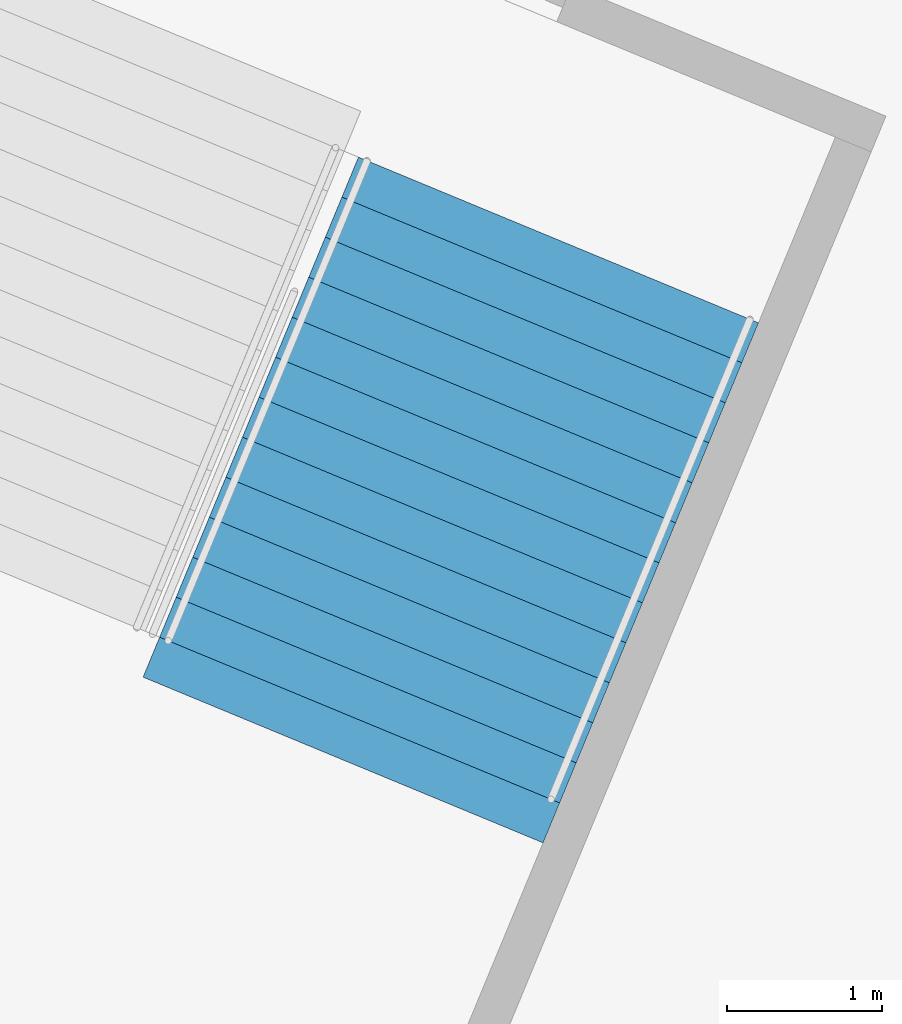
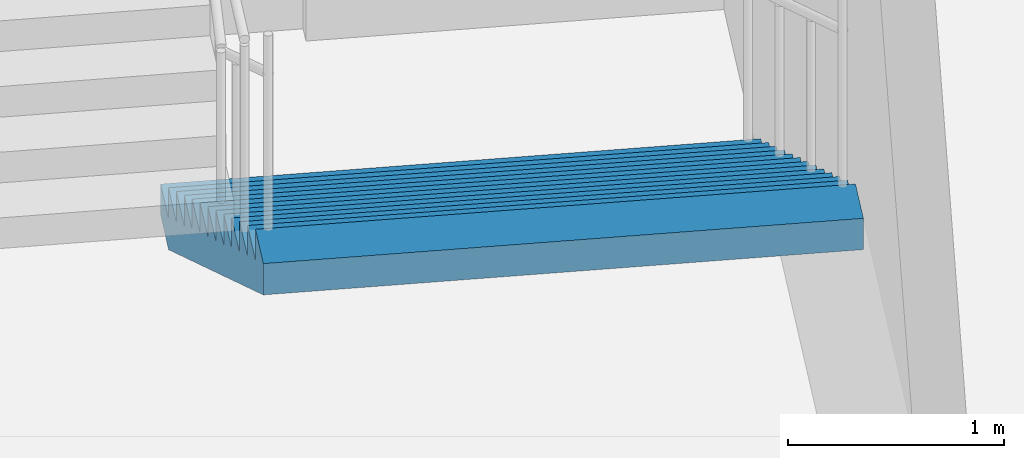
# One storey, part 49 of 175: 1 stair flight, 1 element without a shape of its own.
"""IFC4 building model written with IfcOpenShell, lengths in metres."""

from ifc_helpers import new_model, si_unit, direction, frame, origin, place, context, subcontext, project, spatial, faceted_brep, material, type_object, element, aggregate, save


model = new_model("IFC4")

# Units and contexts
model_context = context("Model", 3, precision=1e-05, world=origin(), true_north=direction((0.0, 1.0)))
body_context = subcontext(model_context, "Body", "Model", "MODEL_VIEW")
ifc_project = project(units=[si_unit("LENGTHUNIT", "METRE"), si_unit("AREAUNIT", "SQUARE_METRE"), si_unit("VOLUMEUNIT", "CUBIC_METRE"), si_unit("PLANEANGLEUNIT", "RADIAN"), si_unit("MASSUNIT", "GRAM", prefix="KILO")], contexts=[model_context])

# Site, building, storey
site_placement = place(None, origin())
site = spatial("IfcSite", under=ifc_project, at=site_placement, CompositionType="ELEMENT")
building_placement = place(site_placement, origin())
building = spatial("IfcBuilding", under=site, at=building_placement, Name="Ogive Plaza Stadium", CompositionType="ELEMENT")
storey_placement = place(building_placement, origin())
storey = spatial("IfcBuildingStorey", under=building, at=storey_placement, Name="L00", CompositionType="ELEMENT", Elevation=0.0)

# Stair, stair flight
ifc_material_1 = material(Name="Concrete C40/50", Category="concrete")
stair_type = type_object("IfcStairType", Name="Exit stair", PredefinedType="STRAIGHT_RUN_STAIR", material=ifc_material_1)
stair_placement = place(storey_placement, origin())
stair = element("IfcStair", 1, at=stair_placement, inside=storey, type_object=stair_type, Name="Exit stair ST18B L00 to L01", PredefinedType="STRAIGHT_RUN_STAIR")
ifc_material_2 = material(Name="Concrete C40/50", Category="concrete")
stair_flight_type = type_object("IfcStairFlightType", Name="Exit stair flight", PredefinedType="STRAIGHT", material=ifc_material_2)
stair_flight_placement = place(storey_placement, frame((-46.118408203125, -93.319580078125, 0.0), z_axis=(0.0, 0.0, 1.0), x_axis=(-0.382683432365, -0.923879532511, 0.0)))
stair_flight = element("IfcStairFlight", 2, at=stair_flight_placement, type_object=stair_flight_type, Name="ST18B flight 1", NumberOfRisers=13, NumberOfTreads=12, PredefinedType="STRAIGHT", RiserHeight=0.173076923, TreadLength=0.28, context=body_context, shape_type="Brep", body=[
    faceted_brep([(0.28515625, -1.39990234375, 0.0), (3.639892578125, -1.39990234375, 2.07373046875), (3.639892578125, -1.39990234375, 2.25), (3.360107421875, -1.39990234375, 2.25), (3.360107421875, -1.39990234375, 2.076904296875), (3.080078125, -1.39990234375, 2.076904296875), (3.080078125, -1.39990234375, 1.90380859375), (2.800048828125, -1.39990234375, 1.90380859375), (2.800048828125, -1.39990234375, 1.730712890625), (2.52001953125, -1.39990234375, 1.730712890625), (2.52001953125, -1.39990234375, 1.5576171875), (2.239990234375, -1.39990234375, 1.5576171875), (2.239990234375, -1.39990234375, 1.384521484375), (1.9599609375, -1.39990234375, 1.384521484375), (1.9599609375, -1.39990234375, 1.21142578125), (1.679931640625, -1.39990234375, 1.21142578125), (1.679931640625, -1.39990234375, 1.03857421875), (1.39990234375, -1.39990234375, 1.03857421875), (1.39990234375, -1.39990234375, 0.865478515625), (1.1201171875, -1.39990234375, 0.865478515625), (1.1201171875, -1.39990234375, 0.6923828125), (0.840087890625, -1.39990234375, 0.6923828125), (0.840087890625, -1.39990234375, 0.519287109375), (0.56005859375, -1.39990234375, 0.519287109375), (0.56005859375, -1.39990234375, 0.34619140625), (0.280029296875, -1.39990234375, 0.34619140625), (0.280029296875, -1.39990234375, 0.173095703125), (0.0, -1.39990234375, 0.173095703125), (0.0, -1.39990234375, 0.0), (0.0, 1.39990234375, 0.0), (0.0, 1.39990234375, 0.173095703125), (0.280029296875, 1.39990234375, 0.173095703125), (0.280029296875, 1.39990234375, 0.34619140625), (0.56005859375, 1.39990234375, 0.34619140625), (0.56005859375, 1.39990234375, 0.519287109375), (0.840087890625, 1.39990234375, 0.519287109375), (0.840087890625, 1.39990234375, 0.6923828125), (1.1201171875, 1.39990234375, 0.6923828125), (1.1201171875, 1.39990234375, 0.865478515625), (1.39990234375, 1.39990234375, 0.865478515625), (1.39990234375, 1.39990234375, 1.03857421875), (1.679931640625, 1.39990234375, 1.03857421875), (1.679931640625, 1.39990234375, 1.21142578125), (1.9599609375, 1.39990234375, 1.21142578125), (1.9599609375, 1.39990234375, 1.384521484375), (2.239990234375, 1.39990234375, 1.384521484375), (2.239990234375, 1.39990234375, 1.5576171875), (2.52001953125, 1.39990234375, 1.5576171875), (2.52001953125, 1.39990234375, 1.730712890625), (2.800048828125, 1.39990234375, 1.730712890625), (2.800048828125, 1.39990234375, 1.90380859375), (3.080078125, 1.39990234375, 1.90380859375), (3.080078125, 1.39990234375, 2.076904296875), (3.360107421875, 1.39990234375, 2.076904296875), (3.360107421875, 1.39990234375, 2.25), (3.639892578125, 1.39990234375, 2.25), (3.639892578125, 1.39990234375, 2.07373046875), (0.28515625, 1.39990234375, 0.0), (0.28515625, -1.0888671875, 0.0), (3.639892578125, -1.0888671875, 2.07373046875), (0.28515625, -0.77783203125, 0.0), (3.639892578125, -0.77783203125, 2.07373046875), (0.28515625, -0.466796875, 0.0), (3.639892578125, -0.466796875, 2.07373046875), (0.28515625, -0.155517578125, 0.0), (3.639892578125, -0.155517578125, 2.07373046875), (0.28515625, 0.155517578125, 0.0), (3.639892578125, 0.155517578125, 2.07373046875), (0.28515625, 0.466796875, 0.0), (3.639892578125, 0.466796875, 2.07373046875), (0.28515625, 0.77783203125, 0.0), (3.639892578125, 0.77783203125, 2.07373046875), (0.28515625, 1.0888671875, 0.0), (3.639892578125, 1.0888671875, 2.07373046875), (3.639892578125, -1.0888671875, 2.25), (3.639892578125, -0.77783203125, 2.25), (3.639892578125, -0.466796875, 2.25), (3.639892578125, -0.155517578125, 2.25), (3.639892578125, 0.155517578125, 2.25), (3.639892578125, 0.466796875, 2.25), (3.639892578125, 0.77783203125, 2.25), (3.639892578125, 1.0888671875, 2.25), (3.360107421875, -1.0888671875, 2.25), (3.360107421875, -0.77783203125, 2.25), (3.360107421875, -0.466796875, 2.25), (3.360107421875, -0.155517578125, 2.25), (3.360107421875, 0.155517578125, 2.25), (3.360107421875, 0.466796875, 2.25), (3.360107421875, 0.77783203125, 2.25), (3.360107421875, 1.0888671875, 2.25), (3.360107421875, -1.0888671875, 2.076904296875), (3.360107421875, -0.77783203125, 2.076904296875), (3.360107421875, -0.466796875, 2.076904296875), (3.360107421875, -0.155517578125, 2.076904296875), (3.360107421875, 0.155517578125, 2.076904296875), (3.360107421875, 0.466796875, 2.076904296875), (3.360107421875, 0.77783203125, 2.076904296875), (3.360107421875, 1.0888671875, 2.076904296875), (3.080078125, -1.0888671875, 2.076904296875), (3.080078125, -0.77783203125, 2.076904296875), (3.080078125, -0.466796875, 2.076904296875), (3.080078125, -0.155517578125, 2.076904296875), (3.080078125, 0.155517578125, 2.076904296875), (3.080078125, 0.466796875, 2.076904296875), (3.080078125, 0.77783203125, 2.076904296875), (3.080078125, 1.0888671875, 2.076904296875), (3.080078125, -1.0888671875, 1.90380859375), (3.080078125, -0.77783203125, 1.90380859375), (3.080078125, -0.466796875, 1.90380859375), (3.080078125, -0.155517578125, 1.90380859375), (3.080078125, 0.155517578125, 1.90380859375), (3.080078125, 0.466796875, 1.90380859375), (3.080078125, 0.77783203125, 1.90380859375), (3.080078125, 1.0888671875, 1.90380859375), (2.800048828125, -1.0888671875, 1.90380859375), (2.800048828125, -0.77783203125, 1.90380859375), (2.800048828125, -0.466796875, 1.90380859375), (2.800048828125, -0.155517578125, 1.90380859375), (2.800048828125, 0.155517578125, 1.90380859375), (2.800048828125, 0.466796875, 1.90380859375), (2.800048828125, 0.77783203125, 1.90380859375), (2.800048828125, 1.0888671875, 1.90380859375), (2.800048828125, -1.0888671875, 1.730712890625), (2.800048828125, -0.77783203125, 1.730712890625), (2.800048828125, -0.466796875, 1.730712890625), (2.800048828125, -0.155517578125, 1.730712890625), (2.800048828125, 0.155517578125, 1.730712890625), (2.800048828125, 0.466796875, 1.730712890625), (2.800048828125, 0.77783203125, 1.730712890625), (2.800048828125, 1.0888671875, 1.730712890625), (2.52001953125, -1.0888671875, 1.730712890625), (2.52001953125, -0.77783203125, 1.730712890625), (2.52001953125, -0.466796875, 1.730712890625), (2.52001953125, -0.155517578125, 1.730712890625), (2.52001953125, 0.155517578125, 1.730712890625), (2.52001953125, 0.466796875, 1.730712890625), (2.52001953125, 0.77783203125, 1.730712890625), (2.52001953125, 1.0888671875, 1.730712890625), (2.52001953125, -1.0888671875, 1.5576171875), (2.52001953125, -0.77783203125, 1.5576171875), (2.52001953125, -0.466796875, 1.5576171875), (2.52001953125, -0.155517578125, 1.5576171875), (2.52001953125, 0.155517578125, 1.5576171875), (2.52001953125, 0.466796875, 1.5576171875), (2.52001953125, 0.77783203125, 1.5576171875), (2.52001953125, 1.0888671875, 1.5576171875), (2.239990234375, -1.0888671875, 1.5576171875), (2.239990234375, -0.77783203125, 1.5576171875), (2.239990234375, -0.466796875, 1.5576171875), (2.239990234375, -0.155517578125, 1.5576171875), (2.239990234375, 0.155517578125, 1.5576171875), (2.239990234375, 0.466796875, 1.5576171875), (2.239990234375, 0.77783203125, 1.5576171875), (2.239990234375, 1.0888671875, 1.5576171875), (2.239990234375, -1.0888671875, 1.384521484375), (2.239990234375, -0.77783203125, 1.384521484375), (2.239990234375, -0.466796875, 1.384521484375), (2.239990234375, -0.155517578125, 1.384521484375), (2.239990234375, 0.155517578125, 1.384521484375), (2.239990234375, 0.466796875, 1.384521484375), (2.239990234375, 0.77783203125, 1.384521484375), (2.239990234375, 1.0888671875, 1.384521484375), (1.9599609375, -1.0888671875, 1.384521484375), (1.9599609375, -0.77783203125, 1.384521484375), (1.9599609375, -0.466796875, 1.384521484375), (1.9599609375, -0.155517578125, 1.384521484375), (1.9599609375, 0.155517578125, 1.384521484375), (1.9599609375, 0.466796875, 1.384521484375), (1.9599609375, 0.77783203125, 1.384521484375), (1.9599609375, 1.0888671875, 1.384521484375), (1.9599609375, -1.0888671875, 1.21142578125), (1.9599609375, -0.77783203125, 1.21142578125), (1.9599609375, -0.466796875, 1.21142578125), (1.9599609375, -0.155517578125, 1.21142578125), (1.9599609375, 0.155517578125, 1.21142578125), (1.9599609375, 0.466796875, 1.21142578125), (1.9599609375, 0.77783203125, 1.21142578125), (1.9599609375, 1.0888671875, 1.21142578125), (1.679931640625, -1.0888671875, 1.21142578125), (1.679931640625, -0.77783203125, 1.21142578125), (1.679931640625, -0.466796875, 1.21142578125), (1.679931640625, -0.155517578125, 1.21142578125), (1.679931640625, 0.155517578125, 1.21142578125), (1.679931640625, 0.466796875, 1.21142578125), (1.679931640625, 0.77783203125, 1.21142578125), (1.679931640625, 1.0888671875, 1.21142578125), (1.679931640625, -1.0888671875, 1.03857421875), (1.679931640625, -0.77783203125, 1.03857421875), (1.679931640625, -0.466796875, 1.03857421875), (1.679931640625, -0.155517578125, 1.03857421875), (1.679931640625, 0.155517578125, 1.03857421875), (1.679931640625, 0.466796875, 1.03857421875), (1.679931640625, 0.77783203125, 1.03857421875), (1.679931640625, 1.0888671875, 1.03857421875), (1.39990234375, -1.0888671875, 1.03857421875), (1.39990234375, -0.77783203125, 1.03857421875), (1.39990234375, -0.466796875, 1.03857421875), (1.39990234375, -0.155517578125, 1.03857421875), (1.39990234375, 0.155517578125, 1.03857421875), (1.39990234375, 0.466796875, 1.03857421875), (1.39990234375, 0.77783203125, 1.03857421875), (1.39990234375, 1.0888671875, 1.03857421875), (1.39990234375, -1.0888671875, 0.865478515625), (1.39990234375, -0.77783203125, 0.865478515625), (1.39990234375, -0.466796875, 0.865478515625), (1.39990234375, -0.155517578125, 0.865478515625), (1.39990234375, 0.155517578125, 0.865478515625), (1.39990234375, 0.466796875, 0.865478515625), (1.39990234375, 0.77783203125, 0.865478515625), (1.39990234375, 1.0888671875, 0.865478515625), (1.1201171875, -1.0888671875, 0.865478515625), (1.1201171875, -0.77783203125, 0.865478515625), (1.1201171875, -0.466796875, 0.865478515625), (1.1201171875, -0.155517578125, 0.865478515625), (1.1201171875, 0.155517578125, 0.865478515625), (1.1201171875, 0.466796875, 0.865478515625), (1.1201171875, 0.77783203125, 0.865478515625), (1.1201171875, 1.0888671875, 0.865478515625), (1.1201171875, -1.0888671875, 0.6923828125), (1.1201171875, -0.77783203125, 0.6923828125), (1.1201171875, -0.466796875, 0.6923828125), (1.1201171875, -0.155517578125, 0.6923828125), (1.1201171875, 0.155517578125, 0.6923828125), (1.1201171875, 0.466796875, 0.6923828125), (1.1201171875, 0.77783203125, 0.6923828125), (1.1201171875, 1.0888671875, 0.6923828125), (0.840087890625, -1.0888671875, 0.6923828125), (0.840087890625, -0.77783203125, 0.6923828125), (0.840087890625, -0.466796875, 0.6923828125), (0.840087890625, -0.155517578125, 0.6923828125), (0.840087890625, 0.155517578125, 0.6923828125), (0.840087890625, 0.466796875, 0.6923828125), (0.840087890625, 0.77783203125, 0.6923828125), (0.840087890625, 1.0888671875, 0.6923828125), (0.840087890625, -1.0888671875, 0.519287109375), (0.840087890625, -0.77783203125, 0.519287109375), (0.840087890625, -0.466796875, 0.519287109375), (0.840087890625, -0.155517578125, 0.519287109375), (0.840087890625, 0.155517578125, 0.519287109375), (0.840087890625, 0.466796875, 0.519287109375), (0.840087890625, 0.77783203125, 0.519287109375), (0.840087890625, 1.0888671875, 0.519287109375), (0.56005859375, -1.0888671875, 0.519287109375), (0.56005859375, -0.77783203125, 0.519287109375), (0.56005859375, -0.466796875, 0.519287109375), (0.56005859375, -0.155517578125, 0.519287109375), (0.56005859375, 0.155517578125, 0.519287109375), (0.56005859375, 0.466796875, 0.519287109375), (0.56005859375, 0.77783203125, 0.519287109375), (0.56005859375, 1.0888671875, 0.519287109375), (0.56005859375, -1.0888671875, 0.34619140625), (0.56005859375, -0.77783203125, 0.34619140625), (0.56005859375, -0.466796875, 0.34619140625), (0.56005859375, -0.155517578125, 0.34619140625), (0.56005859375, 0.155517578125, 0.34619140625), (0.56005859375, 0.466796875, 0.34619140625), (0.56005859375, 0.77783203125, 0.34619140625), (0.56005859375, 1.0888671875, 0.34619140625), (0.280029296875, -1.0888671875, 0.34619140625), (0.280029296875, -0.77783203125, 0.34619140625), (0.280029296875, -0.466796875, 0.34619140625), (0.280029296875, -0.155517578125, 0.34619140625), (0.280029296875, 0.155517578125, 0.34619140625), (0.280029296875, 0.466796875, 0.34619140625), (0.280029296875, 0.77783203125, 0.34619140625), (0.280029296875, 1.0888671875, 0.34619140625), (0.280029296875, -1.0888671875, 0.173095703125), (0.280029296875, -0.77783203125, 0.173095703125), (0.280029296875, -0.466796875, 0.173095703125), (0.280029296875, -0.155517578125, 0.173095703125), (0.280029296875, 0.155517578125, 0.173095703125), (0.280029296875, 0.466796875, 0.173095703125), (0.280029296875, 0.77783203125, 0.173095703125), (0.280029296875, 1.0888671875, 0.173095703125), (0.0, -1.0888671875, 0.173095703125), (0.0, -0.77783203125, 0.173095703125), (0.0, -0.466796875, 0.173095703125), (0.0, -0.155517578125, 0.173095703125), (0.0, 0.155517578125, 0.173095703125), (0.0, 0.466796875, 0.173095703125), (0.0, 0.77783203125, 0.173095703125), (0.0, 1.0888671875, 0.173095703125), (0.0, -1.0888671875, 0.0), (0.0, -0.77783203125, 0.0), (0.0, -0.466796875, 0.0), (0.0, -0.155517578125, 0.0), (0.0, 0.155517578125, 0.0), (0.0, 0.466796875, 0.0), (0.0, 0.77783203125, 0.0), (0.0, 1.0888671875, 0.0)], [[[0, 1, 2, 3, 4, 5, 6, 7, 8, 9, 10, 11, 12, 13, 14, 15, 16, 17, 18, 19, 20, 21, 22, 23, 24, 25, 26, 27, 28]], [[29, 30, 31, 32, 33, 34, 35, 36, 37, 38, 39, 40, 41, 42, 43, 44, 45, 46, 47, 48, 49, 50, 51, 52, 53, 54, 55, 56, 57]], [[0, 58, 59, 1]], [[58, 60, 61, 59]], [[60, 62, 63, 61]], [[62, 64, 65, 63]], [[64, 66, 67, 65]], [[66, 68, 69, 67]], [[68, 70, 71, 69]], [[70, 72, 73, 71]], [[72, 57, 56, 73]], [[1, 59, 74, 2]], [[59, 61, 75, 74]], [[61, 63, 76, 75]], [[63, 65, 77, 76]], [[65, 67, 78, 77]], [[67, 69, 79, 78]], [[69, 71, 80, 79]], [[71, 73, 81, 80]], [[73, 56, 55, 81]], [[2, 74, 82, 3]], [[74, 75, 83, 82]], [[75, 76, 84, 83]], [[76, 77, 85, 84]], [[77, 78, 86, 85]], [[78, 79, 87, 86]], [[79, 80, 88, 87]], [[80, 81, 89, 88]], [[81, 55, 54, 89]], [[3, 82, 90, 4]], [[82, 83, 91, 90]], [[83, 84, 92, 91]], [[84, 85, 93, 92]], [[85, 86, 94, 93]], [[86, 87, 95, 94]], [[87, 88, 96, 95]], [[88, 89, 97, 96]], [[89, 54, 53, 97]], [[4, 90, 98, 5]], [[90, 91, 99, 98]], [[91, 92, 100, 99]], [[92, 93, 101, 100]], [[93, 94, 102, 101]], [[94, 95, 103, 102]], [[95, 96, 104, 103]], [[96, 97, 105, 104]], [[97, 53, 52, 105]], [[5, 98, 106, 6]], [[98, 99, 107, 106]], [[99, 100, 108, 107]], [[100, 101, 109, 108]], [[101, 102, 110, 109]], [[102, 103, 111, 110]], [[103, 104, 112, 111]], [[104, 105, 113, 112]], [[105, 52, 51, 113]], [[6, 106, 114, 7]], [[106, 107, 115, 114]], [[107, 108, 116, 115]], [[108, 109, 117, 116]], [[109, 110, 118, 117]], [[110, 111, 119, 118]], [[111, 112, 120, 119]], [[112, 113, 121, 120]], [[113, 51, 50, 121]], [[7, 114, 122, 8]], [[114, 115, 123, 122]], [[115, 116, 124, 123]], [[116, 117, 125, 124]], [[117, 118, 126, 125]], [[118, 119, 127, 126]], [[119, 120, 128, 127]], [[120, 121, 129, 128]], [[121, 50, 49, 129]], [[8, 122, 130, 9]], [[122, 123, 131, 130]], [[123, 124, 132, 131]], [[124, 125, 133, 132]], [[125, 126, 134, 133]], [[126, 127, 135, 134]], [[127, 128, 136, 135]], [[128, 129, 137, 136]], [[129, 49, 48, 137]], [[9, 130, 138, 10]], [[130, 131, 139, 138]], [[131, 132, 140, 139]], [[132, 133, 141, 140]], [[133, 134, 142, 141]], [[134, 135, 143, 142]], [[135, 136, 144, 143]], [[136, 137, 145, 144]], [[137, 48, 47, 145]], [[10, 138, 146, 11]], [[138, 139, 147, 146]], [[139, 140, 148, 147]], [[140, 141, 149, 148]], [[141, 142, 150, 149]], [[142, 143, 151, 150]], [[143, 144, 152, 151]], [[144, 145, 153, 152]], [[145, 47, 46, 153]], [[11, 146, 154, 12]], [[146, 147, 155, 154]], [[147, 148, 156, 155]], [[148, 149, 157, 156]], [[149, 150, 158, 157]], [[150, 151, 159, 158]], [[151, 152, 160, 159]], [[152, 153, 161, 160]], [[153, 46, 45, 161]], [[12, 154, 162, 13]], [[154, 155, 163, 162]], [[155, 156, 164, 163]], [[156, 157, 165, 164]], [[157, 158, 166, 165]], [[158, 159, 167, 166]], [[159, 160, 168, 167]], [[160, 161, 169, 168]], [[161, 45, 44, 169]], [[13, 162, 170, 14]], [[162, 163, 171, 170]], [[163, 164, 172, 171]], [[164, 165, 173, 172]], [[165, 166, 174, 173]], [[166, 167, 175, 174]], [[167, 168, 176, 175]], [[168, 169, 177, 176]], [[169, 44, 43, 177]], [[14, 170, 178, 15]], [[170, 171, 179, 178]], [[171, 172, 180, 179]], [[172, 173, 181, 180]], [[173, 174, 182, 181]], [[174, 175, 183, 182]], [[175, 176, 184, 183]], [[176, 177, 185, 184]], [[177, 43, 42, 185]], [[15, 178, 186, 16]], [[178, 179, 187, 186]], [[179, 180, 188, 187]], [[180, 181, 189, 188]], [[181, 182, 190, 189]], [[182, 183, 191, 190]], [[183, 184, 192, 191]], [[184, 185, 193, 192]], [[185, 42, 41, 193]], [[16, 186, 194, 17]], [[186, 187, 195, 194]], [[187, 188, 196, 195]], [[188, 189, 197, 196]], [[189, 190, 198, 197]], [[190, 191, 199, 198]], [[191, 192, 200, 199]], [[192, 193, 201, 200]], [[193, 41, 40, 201]], [[17, 194, 202, 18]], [[194, 195, 203, 202]], [[195, 196, 204, 203]], [[196, 197, 205, 204]], [[197, 198, 206, 205]], [[198, 199, 207, 206]], [[199, 200, 208, 207]], [[200, 201, 209, 208]], [[201, 40, 39, 209]], [[18, 202, 210, 19]], [[202, 203, 211, 210]], [[203, 204, 212, 211]], [[204, 205, 213, 212]], [[205, 206, 214, 213]], [[206, 207, 215, 214]], [[207, 208, 216, 215]], [[208, 209, 217, 216]], [[209, 39, 38, 217]], [[19, 210, 218, 20]], [[210, 211, 219, 218]], [[211, 212, 220, 219]], [[212, 213, 221, 220]], [[213, 214, 222, 221]], [[214, 215, 223, 222]], [[215, 216, 224, 223]], [[216, 217, 225, 224]], [[217, 38, 37, 225]], [[20, 218, 226, 21]], [[218, 219, 227, 226]], [[219, 220, 228, 227]], [[220, 221, 229, 228]], [[221, 222, 230, 229]], [[222, 223, 231, 230]], [[223, 224, 232, 231]], [[224, 225, 233, 232]], [[225, 37, 36, 233]], [[21, 226, 234, 22]], [[226, 227, 235, 234]], [[227, 228, 236, 235]], [[228, 229, 237, 236]], [[229, 230, 238, 237]], [[230, 231, 239, 238]], [[231, 232, 240, 239]], [[232, 233, 241, 240]], [[233, 36, 35, 241]], [[22, 234, 242, 23]], [[234, 235, 243, 242]], [[235, 236, 244, 243]], [[236, 237, 245, 244]], [[237, 238, 246, 245]], [[238, 239, 247, 246]], [[239, 240, 248, 247]], [[240, 241, 249, 248]], [[241, 35, 34, 249]], [[23, 242, 250, 24]], [[242, 243, 251, 250]], [[243, 244, 252, 251]], [[244, 245, 253, 252]], [[245, 246, 254, 253]], [[246, 247, 255, 254]], [[247, 248, 256, 255]], [[248, 249, 257, 256]], [[249, 34, 33, 257]], [[24, 250, 258, 25]], [[250, 251, 259, 258]], [[251, 252, 260, 259]], [[252, 253, 261, 260]], [[253, 254, 262, 261]], [[254, 255, 263, 262]], [[255, 256, 264, 263]], [[256, 257, 265, 264]], [[257, 33, 32, 265]], [[25, 258, 266, 26]], [[258, 259, 267, 266]], [[259, 260, 268, 267]], [[260, 261, 269, 268]], [[261, 262, 270, 269]], [[262, 263, 271, 270]], [[263, 264, 272, 271]], [[264, 265, 273, 272]], [[265, 32, 31, 273]], [[26, 266, 274, 27]], [[266, 267, 275, 274]], [[267, 268, 276, 275]], [[268, 269, 277, 276]], [[269, 270, 278, 277]], [[270, 271, 279, 278]], [[271, 272, 280, 279]], [[272, 273, 281, 280]], [[273, 31, 30, 281]], [[27, 274, 282, 28]], [[274, 275, 283, 282]], [[275, 276, 284, 283]], [[276, 277, 285, 284]], [[277, 278, 286, 285]], [[278, 279, 287, 286]], [[279, 280, 288, 287]], [[280, 281, 289, 288]], [[281, 30, 29, 289]], [[28, 282, 58, 0]], [[282, 283, 60, 58]], [[283, 284, 62, 60]], [[284, 285, 64, 62]], [[285, 286, 66, 64]], [[286, 287, 68, 66]], [[287, 288, 70, 68]], [[288, 289, 72, 70]], [[289, 29, 57, 72]]]),
])
aggregate(stair, [stair_flight])

save(model, "model.ifc")
